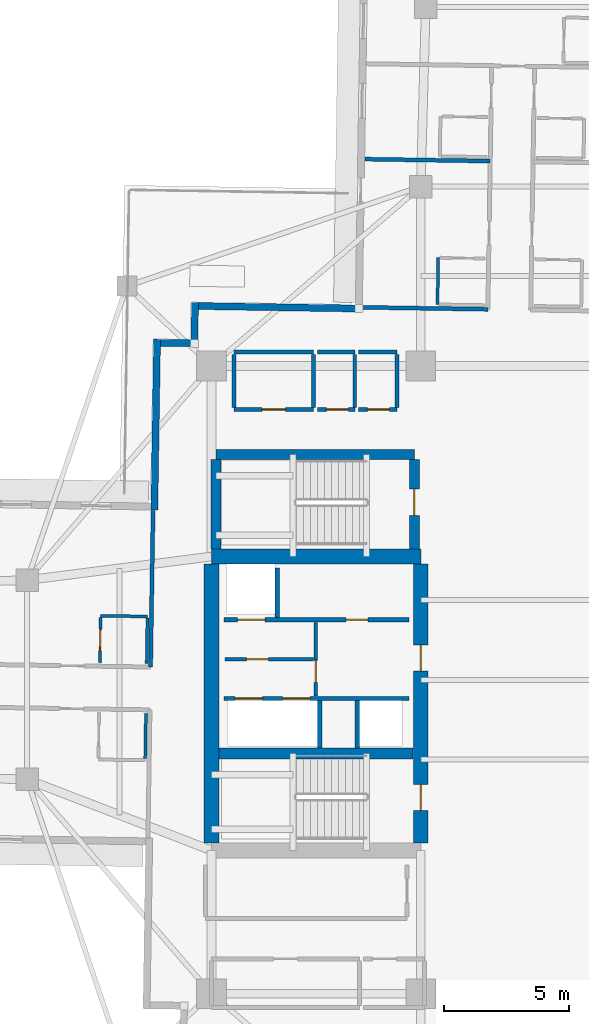
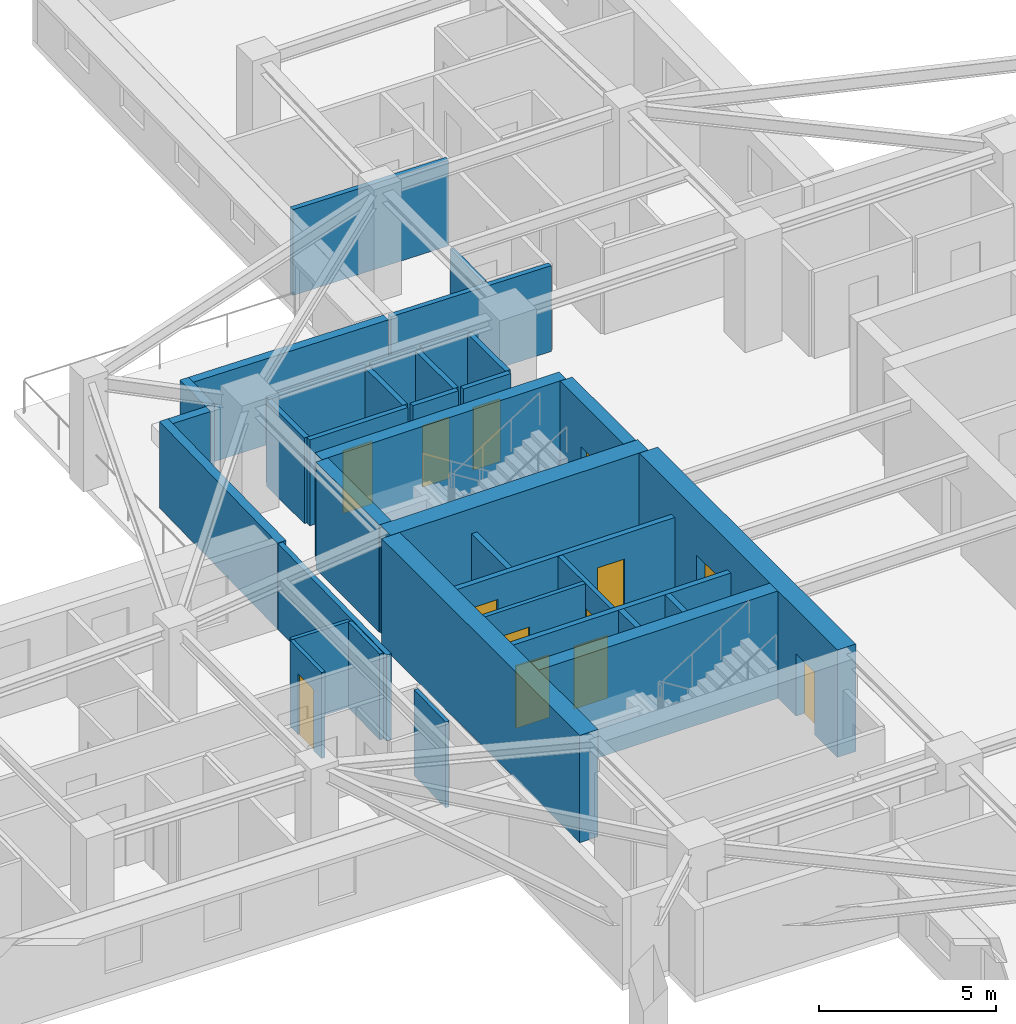
# One storey, part 5 of 13: 36 walls, 13 doors, 13 openings.
"""IFC4 building model written with IfcOpenShell, lengths in metres."""

from ifc_helpers import new_model, si_unit, direction, frame, frame_2d, origin, place, context, subcontext, project, spatial, rectangle, extrude, material, layer, layer_set, type_object, element, fill, save


model = new_model("IFC4")

# Units and contexts
model_context = context("Model", 3, precision=1e-05, world=origin(), true_north=direction((0.0, 1.0)))
body_context = subcontext(model_context, "Body", "Model", "MODEL_VIEW")
ifc_project = project(units=[si_unit("LENGTHUNIT", "METRE"), si_unit("AREAUNIT", "SQUARE_METRE"), si_unit("VOLUMEUNIT", "CUBIC_METRE"), si_unit("PLANEANGLEUNIT", "RADIAN"), si_unit("MASSUNIT", "GRAM", prefix="KILO")], contexts=[model_context])

# Site, building, storey
site_placement = place(None, origin())
site = spatial("IfcSite", under=ifc_project, at=site_placement, CompositionType="ELEMENT")
building_placement = place(site_placement, origin())
building = spatial("IfcBuilding", under=site, at=building_placement, Name="Qingluan Cross Belvedere", CompositionType="ELEMENT")
storey_placement = place(building_placement, frame((0.0, 0.0, 148.800048828125)))
storey = spatial("IfcBuildingStorey", under=building, at=storey_placement, Name="L37", CompositionType="ELEMENT", Elevation=148.800048828125)

# Walls
ifc_material_1 = material(Name="Concrete C50", Category="concrete")
ifc_layer_1 = layer(ifc_material_1, 0.449951171875, Name="CoreShearWall_450")
ifc_layer_set_1 = layer_set([ifc_layer_1], Name="Concrete C50")
wall_type_1 = type_object("IfcWallType", Name="CoreShearWall_450", PredefinedType="SHEAR", material=ifc_layer_set_1)
wall_1_placement = place(storey_placement, frame((-12.094970703125, -2.9599609375, 0.0), z_axis=(0.0, 0.0, 1.0), x_axis=(1.0, 0.0, 0.0)))
element("IfcWall", 1, at=wall_1_placement, inside=storey, type_object=wall_type_1, Name="Split core W shear wall L37-M", PredefinedType="SHEAR", context=body_context, shape_type="SweptSolid", body=[
    extrude(rectangle(XDim=7.7900390625, YDim=0.449951171875, at=frame_2d((3.89501953125, 0.0))), origin(), (0.0, 0.0, 1.0), 3.699951171875),
])
wall_2_placement = place(storey_placement, frame((-12.219970703125, 9.0400390625, 0.0), z_axis=(0.0, 0.0, 1.0), x_axis=(1.0, 0.0, 0.0)))
element("IfcWall", 2, at=wall_2_placement, inside=storey, type_object=wall_type_1, Name="Stair ST3 structural wall N L37", PredefinedType="SHEAR", context=body_context, shape_type="SweptSolid", body=[
    extrude(rectangle(XDim=7.9599609375, YDim=0.39990234375, at=frame_2d((3.97998046875, 0.0))), origin(), (0.0, 0.0, 1.0), 3.699951171875),
])
wall_3_placement = place(storey_placement, frame((-12.219970703125, 5.2548828125, 0.0), z_axis=(0.0, 0.0, 1.0), x_axis=(0.0, 1.0, 0.0)))
element("IfcWall", 3, at=wall_3_placement, inside=storey, type_object=wall_type_1, Name="Stair ST3 structural wall W L37", PredefinedType="SHEAR", context=body_context, shape_type="SweptSolid", body=[
    extrude(rectangle(XDim=3.580078125, YDim=0.39990234375, at=frame_2d((1.7900390625, 0.0))), origin(), (0.0, 0.0, 1.0), 3.699951171875),
])

# Wall, opening, door
wall_4_placement = place(storey_placement, frame((-4.260009765625, 5.2548828125, 0.0), z_axis=(0.0, 0.0, 1.0), x_axis=(0.0, 1.0, 0.0)))
wall_4 = element("IfcWall", 4, at=wall_4_placement, inside=storey, type_object=wall_type_1, Name="Stair ST3 structural wall E L37", PredefinedType="SHEAR", context=body_context, shape_type="SweptSolid", body=[
    extrude(rectangle(XDim=3.580078125, YDim=0.39990234375, at=frame_2d((1.7900390625, 0.0))), origin(), (0.0, 0.0, 1.0), 3.699951171875),
])
opening_1_placement = place(wall_4_placement, frame((1.344970703125, 0.0, 0.0)))
opening_1 = element("IfcOpeningElement", 5, at=opening_1_placement, cuts=wall_4, Name="Opening FD-B11", PredefinedType="OPENING", context=body_context, shape_type="SweptSolid", body=[
    extrude(rectangle(XDim=1.050048828125, YDim=2.14990234375, at=frame_2d((0.52490234375, 1.074951171875))), frame((0.0, 0.2099609375, 0.0), z_axis=(0.0, -1.0, 0.0), x_axis=(1.0, 0.0, 0.0)), (0.0, 0.0, 1.0), 0.419921875),
])
ifc_material_2 = material(Name="Steel Class B smoke-seal fire door", Category="steel")
door_type_1 = type_object("IfcDoorType", Name="StairLobbyFireDoor_FDB", OperationType="NOTDEFINED", PredefinedType="DOOR", material=ifc_material_2)
door_1_placement = place(opening_1_placement, origin())
door_1 = element("IfcDoor", 6, at=door_1_placement, inside=storey, type_object=door_type_1, Name="Smoke-proof stair ST3 fire door L37", OperationType="SINGLE_SWING_LEFT", OverallHeight=2.14990234375, OverallWidth=1.050048828125, PredefinedType="DOOR", context=body_context, shape_type="SweptSolid", body=[
    extrude(rectangle(XDim=1.050048828125, YDim=2.14990234375, at=frame_2d((0.52490234375, 1.074951171875))), frame((0.0, 0.02490234375, 0.0), z_axis=(0.0, -1.0, 0.0), x_axis=(1.0, 0.0, 0.0)), (0.0, 0.0, 1.0), 0.050048828125),
])
fill(opening_1, door_1)

# Walls
ifc_material_3 = material(Name="Concrete C60", Category="concrete")
ifc_layer_2 = layer(ifc_material_3, 0.60009765625, Name="CoreShearWall_600")
ifc_layer_set_2 = layer_set([ifc_layer_2], Name="Concrete C60")
wall_type_2 = type_object("IfcWallType", Name="CoreShearWall_600", PredefinedType="SHEAR", material=ifc_layer_set_2)
wall_5_placement = place(storey_placement, frame((-12.39990234375, 4.949951171875, 0.0), z_axis=(0.0, 0.0, 1.0), x_axis=(1.0, 0.0, 0.0)))
element("IfcWall", 7, at=wall_5_placement, inside=storey, type_object=wall_type_2, Name="Split core W shear wall L37-N", PredefinedType="SHEAR", context=body_context, shape_type="SweptSolid", body=[
    extrude(rectangle(XDim=8.39990234375, YDim=0.60009765625, at=frame_2d((4.199951171875, 0.0))), origin(), (0.0, 0.0, 1.0), 3.699951171875),
])
wall_6_placement = place(storey_placement, frame((-12.39990234375, -6.544921875, 0.0), z_axis=(0.0, 0.0, 1.0), x_axis=(0.0, 1.0, 0.0)))
element("IfcWall", 8, at=wall_6_placement, inside=storey, type_object=wall_type_2, Name="Split core W shear wall L37-W", PredefinedType="SHEAR", context=body_context, shape_type="SweptSolid", body=[
    extrude(rectangle(XDim=11.18994140625, YDim=0.60009765625, at=frame_2d((5.594970703125, 0.0))), origin(), (0.0, 0.0, 1.0), 3.699951171875),
])

# Wall, openings, doors
wall_7_placement = place(storey_placement, frame((-4.0, -6.544921875, 0.0), z_axis=(0.0, 0.0, 1.0), x_axis=(0.0, 1.0, 0.0)))
wall_7 = element("IfcWall", 9, at=wall_7_placement, inside=storey, type_object=wall_type_2, Name="Split core W shear wall L37-E", PredefinedType="SHEAR", context=body_context, shape_type="SweptSolid", body=[
    extrude(rectangle(XDim=11.18994140625, YDim=0.60009765625, at=frame_2d((5.594970703125, 0.0))), origin(), (0.0, 0.0, 1.0), 3.699951171875),
])
opening_2_placement = place(wall_7_placement, frame((1.294921875, 0.0, 0.0)))
opening_2 = element("IfcOpeningElement", 10, at=opening_2_placement, cuts=wall_7, Name="Opening FD-B11", PredefinedType="OPENING", context=body_context, shape_type="SweptSolid", body=[
    extrude(rectangle(XDim=1.050048828125, YDim=2.14990234375, at=frame_2d((0.52490234375, 1.074951171875))), frame((0.0, 0.31005859375, 0.0), z_axis=(0.0, -1.0, 0.0), x_axis=(1.0, 0.0, 0.0)), (0.0, 0.0, 1.0), 0.6201171875),
])
opening_3_placement = place(wall_7_placement, frame((6.89501953125, 0.0, 0.0)))
opening_3 = element("IfcOpeningElement", 11, at=opening_3_placement, cuts=wall_7, Name="Opening FD-B11", PredefinedType="OPENING", context=body_context, shape_type="SweptSolid", body=[
    extrude(rectangle(XDim=1.050048828125, YDim=2.14990234375, at=frame_2d((0.52490234375, 1.074951171875))), frame((0.0, 0.31005859375, 0.0), z_axis=(0.0, -1.0, 0.0), x_axis=(1.0, 0.0, 0.0)), (0.0, 0.0, 1.0), 0.6201171875),
])
door_2_placement = place(opening_2_placement, origin())
door_2 = element("IfcDoor", 12, at=door_2_placement, inside=storey, type_object=door_type_1, Name="Smoke-proof stair ST1 fire door L37", OperationType="SINGLE_SWING_LEFT", OverallHeight=2.14990234375, OverallWidth=1.050048828125, PredefinedType="DOOR", context=body_context, shape_type="SweptSolid", body=[
    extrude(rectangle(XDim=1.050048828125, YDim=2.14990234375, at=frame_2d((0.52490234375, 1.074951171875))), frame((0.0, 0.02490234375, 0.0), z_axis=(0.0, -1.0, 0.0), x_axis=(1.0, 0.0, 0.0)), (0.0, 0.0, 1.0), 0.050048828125),
])
fill(opening_2, door_2)
door_3_placement = place(opening_3_placement, origin())
door_3 = element("IfcDoor", 13, at=door_3_placement, inside=storey, type_object=door_type_1, Name="Firefighting lobby West fire door L37", OperationType="SINGLE_SWING_LEFT", OverallHeight=2.14990234375, OverallWidth=1.050048828125, PredefinedType="DOOR", context=body_context, shape_type="SweptSolid", body=[
    extrude(rectangle(XDim=1.050048828125, YDim=2.14990234375, at=frame_2d((0.52490234375, 1.074951171875))), frame((0.0, 0.02490234375, 0.0), z_axis=(0.0, -1.0, 0.0), x_axis=(1.0, 0.0, 0.0)), (0.0, 0.0, 1.0), 0.050048828125),
])
fill(opening_3, door_3)

# Wall, opening, door
ifc_material_4 = material(Name="Gypsum plasterboard on steel stud acoustic partition", Category="steel")
ifc_layer_3 = layer(ifc_material_4, 0.159912109375, Name="CorridorPartition_160")
ifc_layer_set_3 = layer_set([ifc_layer_3], Name="Gypsum plasterboard on steel stud acoustic partition")
wall_type_3 = type_object("IfcWallType", Name="CorridorPartition_160", PredefinedType="PARTITIONING", material=ifc_layer_set_3)
wall_8_placement = place(storey_placement, frame((-11.85009765625, 0.830078125, 0.0), z_axis=(0.0, 0.0, 1.0), x_axis=(1.0, 0.0, 0.0)))
wall_8 = element("IfcWall", 14, at=wall_8_placement, inside=storey, type_object=wall_type_3, Name="Partition L37:w", PredefinedType="PARTITIONING", context=body_context, shape_type="SweptSolid", body=[
    extrude(rectangle(XDim=3.552001953125, YDim=0.139892578125, at=frame_2d((1.77587890625, 0.0))), origin(), (0.0, 0.0, 1.0), 2.9599609375),
])
opening_4_placement = place(wall_8_placement, frame((0.85009765625, 0.0, 0.0)))
opening_4 = element("IfcOpeningElement", 15, at=opening_4_placement, cuts=wall_8, Name="Opening FD-B10", PredefinedType="OPENING", context=body_context, shape_type="SweptSolid", body=[
    extrude(rectangle(XDim=0.8798828125, YDim=2.10009765625, at=frame_2d((0.43994140625, 1.050048828125))), frame((0.0, 0.079833984375, 0.0), z_axis=(0.0, -1.0, 0.0), x_axis=(1.0, 0.0, 0.0)), (0.0, 0.0, 1.0), 0.159912109375),
])
ifc_material_5 = material(Name="Steel Class B service fire door", Category="steel")
door_type_2 = type_object("IfcDoorType", Name="RiserServiceFireDoor_FDB", OperationType="NOTDEFINED", PredefinedType="DOOR", material=ifc_material_5)
door_4_placement = place(opening_4_placement, origin())
door_4 = element("IfcDoor", 16, at=door_4_placement, inside=storey, type_object=door_type_2, Name="Service closet inner door L37", OperationType="SINGLE_SWING_RIGHT", OverallHeight=2.10009765625, OverallWidth=0.8798828125, PredefinedType="DOOR", context=body_context, shape_type="SweptSolid", body=[
    extrude(rectangle(XDim=0.8798828125, YDim=2.10009765625, at=frame_2d((0.43994140625, 1.050048828125))), frame((0.0, 0.02490234375, 0.0), z_axis=(0.0, -1.0, 0.0), x_axis=(1.0, 0.0, 0.0)), (0.0, 0.0, 1.0), 0.050048828125),
])
fill(opening_4, door_4)

wall_9_placement = place(storey_placement, frame((-11.5, 10.85009765625, 0.0), z_axis=(0.0, 0.0, 1.0), x_axis=(1.0, 0.0, 0.0)))
wall_9 = element("IfcWall", 17, at=wall_9_placement, inside=storey, type_object=wall_type_3, Name="Partition L37:q_nw_occ:S", PredefinedType="PARTITIONING", context=body_context, shape_type="SweptSolid", body=[
    extrude(rectangle(XDim=3.199951171875, YDim=0.159912109375, at=frame_2d((1.60009765625, 0.0))), origin(), (0.0, 0.0, 1.0), 2.9599609375),
])
opening_5_placement = place(wall_9_placement, frame((1.1201171875, 0.0, 0.0)))
opening_5 = element("IfcOpeningElement", 18, at=opening_5_placement, cuts=wall_9, Name="Opening GD-10", PredefinedType="OPENING", context=body_context, shape_type="SweptSolid", body=[
    extrude(rectangle(XDim=0.9599609375, YDim=2.14990234375, at=frame_2d((0.47998046875, 1.074951171875))), frame((0.0, 0.08984375, 0.0), z_axis=(0.0, -1.0, 0.0), x_axis=(1.0, 0.0, 0.0)), (0.0, 0.0, 1.0), 0.179931640625),
])
ifc_material_6 = material(Name="Timber oak fire-rated acoustic guestroom door", Category="wood")
door_type_3 = type_object("IfcDoorType", Name="GuestEntryDoor_FD60", OperationType="NOTDEFINED", PredefinedType="DOOR", material=ifc_material_6)
door_5_placement = place(opening_5_placement, origin())
door_5 = element("IfcDoor", 19, at=door_5_placement, inside=storey, type_object=door_type_3, Name="Northwest corner reading salon L37 door", OperationType="SINGLE_SWING_RIGHT", OverallHeight=2.14990234375, OverallWidth=0.9599609375, PredefinedType="DOOR", context=body_context, shape_type="SweptSolid", body=[
    extrude(rectangle(XDim=0.9599609375, YDim=2.14990234375, at=frame_2d((0.47998046875, 1.074951171875))), frame((0.0, 0.02490234375, 0.0), z_axis=(0.0, -1.0, 0.0), x_axis=(1.0, 0.0, 0.0)), (0.0, 0.0, 1.0), 0.050048828125),
])
fill(opening_5, door_5)

# Walls
wall_10_placement = place(storey_placement, frame((-11.5, 13.14990234375, 0.0), z_axis=(0.0, 0.0, 1.0), x_axis=(1.0, 0.0, 0.0)))
element("IfcWall", 20, at=wall_10_placement, inside=storey, type_object=wall_type_3, Name="Partition L37:q_nw_occ:N", PredefinedType="PARTITIONING", context=body_context, shape_type="SweptSolid", body=[
    extrude(rectangle(XDim=3.199951171875, YDim=0.159912109375, at=frame_2d((1.60009765625, 0.0))), origin(), (0.0, 0.0, 1.0), 2.9599609375),
])
for number, where, z_axis, x_axis, name in (
    (21, (-11.5, 10.93505859375, 0.0), (0.0, 0.0, 1.0), (0.0, 1.0, 0.0), "Partition L37:q_nw_occ:W"),
    (22, (-8.300048828125, 10.93505859375, 0.0), (0.0, 0.0, 1.0), (0.0, 1.0, 0.0), "Partition L37:q_nw_occ:E"),
):
    element("IfcWall", number, at=place(storey_placement, frame(where, z_axis=z_axis, x_axis=x_axis)), inside=storey, type_object=wall_type_3, Name=name, PredefinedType="PARTITIONING", context=body_context, shape_type="SweptSolid", body=[
        extrude(rectangle(XDim=2.1298828125, YDim=0.159912109375, at=frame_2d((1.06494140625, 0.0))), origin(), (0.0, 0.0, 1.0), 2.9599609375),
    ])

# Wall, opening, door
wall_11_placement = place(storey_placement, frame((-8.139892578125, 10.85009765625, 0.0), z_axis=(0.0, 0.0, 1.0), x_axis=(1.0, 0.0, 0.0)))
wall_11 = element("IfcWall", 23, at=wall_11_placement, inside=storey, type_object=wall_type_3, Name="Partition L37:hk_linen:S", PredefinedType="PARTITIONING", context=body_context, shape_type="SweptSolid", body=[
    extrude(rectangle(XDim=1.489990234375, YDim=0.159912109375, at=frame_2d((0.7451171875, 0.0))), origin(), (0.0, 0.0, 1.0), 2.9599609375),
])
opening_6_placement = place(wall_11_placement, frame((0.35009765625, 0.0, 0.0)))
opening_6 = element("IfcOpeningElement", 24, at=opening_6_placement, cuts=wall_11, Name="Opening FD-B10", PredefinedType="OPENING", context=body_context, shape_type="SweptSolid", body=[
    extrude(rectangle(XDim=0.8798828125, YDim=2.10009765625, at=frame_2d((0.43994140625, 1.050048828125))), frame((0.0, 0.08984375, 0.0), z_axis=(0.0, -1.0, 0.0), x_axis=(1.0, 0.0, 0.0)), (0.0, 0.0, 1.0), 0.179931640625),
])
door_6_placement = place(opening_6_placement, origin())
door_6 = element("IfcDoor", 25, at=door_6_placement, inside=storey, type_object=door_type_2, Name="Housekeeping and linen store L37 door", OperationType="SINGLE_SWING_LEFT", OverallHeight=2.10009765625, OverallWidth=0.8798828125, PredefinedType="DOOR", context=body_context, shape_type="SweptSolid", body=[
    extrude(rectangle(XDim=0.8798828125, YDim=2.10009765625, at=frame_2d((0.43994140625, 1.050048828125))), frame((0.0, 0.02490234375, 0.0), z_axis=(0.0, -1.0, 0.0), x_axis=(1.0, 0.0, 0.0)), (0.0, 0.0, 1.0), 0.050048828125),
])
fill(opening_6, door_6)

# Walls
wall_12_placement = place(storey_placement, frame((-8.139892578125, 13.14990234375, 0.0), z_axis=(0.0, 0.0, 1.0), x_axis=(1.0, 0.0, 0.0)))
element("IfcWall", 26, at=wall_12_placement, inside=storey, type_object=wall_type_3, Name="Partition L37:hk_linen:N", PredefinedType="PARTITIONING", context=body_context, shape_type="SweptSolid", body=[
    extrude(rectangle(XDim=1.489990234375, YDim=0.159912109375, at=frame_2d((0.7451171875, 0.0))), origin(), (0.0, 0.0, 1.0), 2.9599609375),
])
wall_13_placement = place(storey_placement, frame((-6.64990234375, 10.93505859375, 0.0), z_axis=(0.0, 0.0, 1.0), x_axis=(0.0, 1.0, 0.0)))
element("IfcWall", 27, at=wall_13_placement, inside=storey, type_object=wall_type_3, Name="Partition L37:hk_linen:E", PredefinedType="PARTITIONING", context=body_context, shape_type="SweptSolid", body=[
    extrude(rectangle(XDim=2.1298828125, YDim=0.159912109375, at=frame_2d((1.06494140625, 0.0))), origin(), (0.0, 0.0, 1.0), 2.9599609375),
])

# Wall, opening, door
wall_14_placement = place(storey_placement, frame((-6.489990234375, 10.85009765625, 0.0), z_axis=(0.0, 0.0, 1.0), x_axis=(1.0, 0.0, 0.0)))
wall_14 = element("IfcWall", 28, at=wall_14_placement, inside=storey, type_object=wall_type_3, Name="Partition L37:floor_acc_wc:S", PredefinedType="PARTITIONING", context=body_context, shape_type="SweptSolid", body=[
    extrude(rectangle(XDim=1.5400390625, YDim=0.159912109375, at=frame_2d((0.77001953125, 0.0))), origin(), (0.0, 0.0, 1.0), 2.9599609375),
])
opening_7_placement = place(wall_14_placement, frame((0.35009765625, 0.0, 0.0)))
opening_7 = element("IfcOpeningElement", 29, at=opening_7_placement, cuts=wall_14, Name="Opening BD-08", PredefinedType="OPENING", context=body_context, shape_type="SweptSolid", body=[
    extrude(rectangle(XDim=0.8798828125, YDim=2.14990234375, at=frame_2d((0.43994140625, 1.074951171875))), frame((0.0, 0.08984375, 0.0), z_axis=(0.0, -1.0, 0.0), x_axis=(1.0, 0.0, 0.0)), (0.0, 0.0, 1.0), 0.179931640625),
])
ifc_material_7 = material(Name="Moisture-sealed timber accessible WC door", Category="wood")
door_type_4 = type_object("IfcDoorType", Name="AccessibleWCDoor_880", OperationType="NOTDEFINED", PredefinedType="DOOR", material=ifc_material_7)
door_7_placement = place(opening_7_placement, origin())
door_7 = element("IfcDoor", 30, at=door_7_placement, inside=storey, type_object=door_type_4, Name="Accessible guest washroom L37 door", OperationType="SINGLE_SWING_RIGHT", OverallHeight=2.14990234375, OverallWidth=0.8798828125, PredefinedType="DOOR", context=body_context, shape_type="SweptSolid", body=[
    extrude(rectangle(XDim=0.8798828125, YDim=2.14990234375, at=frame_2d((0.43994140625, 1.074951171875))), frame((0.0, 0.02490234375, 0.0), z_axis=(0.0, -1.0, 0.0), x_axis=(1.0, 0.0, 0.0)), (0.0, 0.0, 1.0), 0.050048828125),
])
fill(opening_7, door_7)

# Walls
wall_15_placement = place(storey_placement, frame((-6.489990234375, 13.14990234375, 0.0), z_axis=(0.0, 0.0, 1.0), x_axis=(1.0, 0.0, 0.0)))
element("IfcWall", 31, at=wall_15_placement, inside=storey, type_object=wall_type_3, Name="Partition L37:floor_acc_wc:N", PredefinedType="PARTITIONING", context=body_context, shape_type="SweptSolid", body=[
    extrude(rectangle(XDim=1.5400390625, YDim=0.159912109375, at=frame_2d((0.77001953125, 0.0))), origin(), (0.0, 0.0, 1.0), 2.9599609375),
])
wall_16_placement = place(storey_placement, frame((-4.949951171875, 10.93505859375, 0.0), z_axis=(0.0, 0.0, 1.0), x_axis=(0.0, 1.0, 0.0)))
element("IfcWall", 32, at=wall_16_placement, inside=storey, type_object=wall_type_3, Name="Partition L37:floor_acc_wc:E", PredefinedType="PARTITIONING", context=body_context, shape_type="SweptSolid", body=[
    extrude(rectangle(XDim=2.1298828125, YDim=0.159912109375, at=frame_2d((1.06494140625, 0.0))), origin(), (0.0, 0.0, 1.0), 2.9599609375),
])
wall_17_placement = place(storey_placement, frame((-14.84375, 0.51318359375, 0.0), z_axis=(0.0, 0.0, 1.0), x_axis=(0.01571461794, 0.999876517768, 0.0)))
element("IfcWall", 33, at=wall_17_placement, inside=storey, type_object=wall_type_3, Name="Partition L37:W:s0", PredefinedType="PARTITIONING", context=body_context, shape_type="SweptSolid", body=[
    extrude(rectangle(XDim=6.2919921875, YDim=0.159912109375, at=frame_2d((3.14599609375, 0.0))), origin(), (0.0, 0.0, 1.0), 2.9599609375),
])
wall_18_placement = place(storey_placement, frame((-1.306640625, 14.872314453125, 0.0), z_axis=(0.0, 0.0, 1.0), x_axis=(-0.999876822016, 0.01569524756, 0.0)))
element("IfcWall", 34, at=wall_18_placement, inside=storey, type_object=wall_type_3, Name="Partition L37:N:s1", PredefinedType="PARTITIONING", context=body_context, shape_type="SweptSolid", body=[
    extrude(rectangle(XDim=5.179931640625, YDim=0.159912109375, at=frame_2d((2.58984375, 0.0))), origin(), (0.0, 0.0, 1.0), 2.9599609375),
])
wall_19_placement = place(storey_placement, frame((-1.213134765625, 20.821533203125, 0.0), z_axis=(0.0, 0.0, 1.0), x_axis=(-0.999876431484, 0.015720106939, 0.0)))
element("IfcWall", 35, at=wall_19_placement, inside=storey, type_object=wall_type_3, Name="Partition L37:N:d1_0", PredefinedType="PARTITIONING", context=body_context, shape_type="SweptSolid", body=[
    extrude(rectangle(XDim=5.031982421875, YDim=0.159912109375, at=frame_2d((2.51611328125, 0.0))), origin(), (0.0, 0.0, 1.0), 2.9599609375),
])

# Wall, opening, door
ifc_material_8 = material(Name="Moisture-resistant gypsum board lining")
ifc_layer_4 = layer(ifc_material_8, 0.1201171875, Name="EnsuiteWetPartition_120")
ifc_layer_set_4 = layer_set([ifc_layer_4], Name="Moisture-resistant gypsum board lining")
wall_type_4 = type_object("IfcWallType", Name="EnsuiteWetPartition_120", PredefinedType="PARTITIONING", material=ifc_layer_set_4)
wall_20_placement = place(storey_placement, frame((-16.88134765625, 0.685302734375, 0.0), z_axis=(0.0, 0.0, 1.0), x_axis=(0.015696442504, 0.999876803258, 0.0)))
wall_20 = element("IfcWall", 36, at=wall_20_placement, inside=storey, type_object=wall_type_4, Name="Partition L37:W:bs0_0", PredefinedType="PARTITIONING", context=body_context, shape_type="SweptSolid", body=[
    extrude(rectangle(XDim=1.81982421875, YDim=0.1201171875, at=frame_2d((0.909912109375, 0.0))), origin(), (0.0, 0.0, 1.0), 2.9599609375),
])
opening_8_placement = place(wall_20_placement, frame((0.469970703125, 0.0, 0.0)))
opening_8 = element("IfcOpeningElement", 37, at=opening_8_placement, cuts=wall_20, Name="Opening BD-09", PredefinedType="OPENING", context=body_context, shape_type="SweptSolid", body=[
    extrude(rectangle(XDim=0.8798828125, YDim=2.10009765625, at=frame_2d((0.43994140625, 1.050048828125))), frame((0.0, 0.070068359375, 0.0), z_axis=(0.0, -1.0, 0.0), x_axis=(1.0, 0.0, 0.0)), (0.0, 0.0, 1.0), 0.14013671875),
])
ifc_material_9 = material(Name="Moisture-sealed timber en-suite door", Category="wood")
door_type_5 = type_object("IfcDoorType", Name="BathroomDoor_880", OperationType="NOTDEFINED", PredefinedType="DOOR", material=ifc_material_9)
door_8_placement = place(opening_8_placement, origin())
door_8 = element("IfcDoor", 38, at=door_8_placement, inside=storey, type_object=door_type_5, Name="Bathroom door 3703", OperationType="SINGLE_SWING_LEFT", OverallHeight=2.10009765625, OverallWidth=0.8798828125, PredefinedType="DOOR", context=body_context, shape_type="SweptSolid", body=[
    extrude(rectangle(XDim=0.8798828125, YDim=2.10009765625, at=frame_2d((0.43994140625, 1.050048828125))), frame((0.0, 0.02490234375, 0.0), z_axis=(0.0, -1.0, 0.0), x_axis=(1.0, 0.0, 0.0)), (0.0, 0.0, 1.0), 0.050048828125),
])
fill(opening_8, door_8)

# Walls
wall_21_placement = place(storey_placement, frame((-15.001708984375, 0.65576171875, 0.0), z_axis=(0.0, 0.0, 1.0), x_axis=(0.015828443418, 0.999874722342, 0.0)))
element("IfcWall", 39, at=wall_21_placement, inside=storey, type_object=wall_type_4, Name="Partition L37:W:bw0_0", PredefinedType="PARTITIONING", context=body_context, shape_type="SweptSolid", body=[
    extrude(rectangle(XDim=1.820068359375, YDim=0.1201171875, at=frame_2d((0.91015625, 0.0))), origin(), (0.0, 0.0, 1.0), 2.9599609375),
])
wall_22_placement = place(storey_placement, frame((-14.971923828125, 2.54052734375, 0.0), z_axis=(0.0, 0.0, 1.0), x_axis=(-0.999876553475, 0.01571234584, 0.0)))
element("IfcWall", 40, at=wall_22_placement, inside=storey, type_object=wall_type_4, Name="Partition L37:W:bn0_0", PredefinedType="PARTITIONING", context=body_context, shape_type="SweptSolid", body=[
    extrude(rectangle(XDim=1.880126953125, YDim=0.1201171875, at=frame_2d((0.93994140625, 0.0))), origin(), (0.0, 0.0, 1.0), 2.9599609375),
])
wall_23_placement = place(storey_placement, frame((-15.0615234375, -3.163818359375, 0.0), z_axis=(0.0, 0.0, 1.0), x_axis=(0.015694337248, 0.999876836305, 0.0)))
element("IfcWall", 41, at=wall_23_placement, inside=storey, type_object=wall_type_4, Name="Partition L37:W:bw1_0", PredefinedType="PARTITIONING", context=body_context, shape_type="SweptSolid", body=[
    extrude(rectangle(XDim=1.820068359375, YDim=0.1201171875, at=frame_2d((0.91015625, 0.0))), origin(), (0.0, 0.0, 1.0), 2.9599609375),
])
wall_24_placement = place(storey_placement, frame((-3.328857421875, 15.064208984375, 0.0), z_axis=(0.0, 0.0, 1.0), x_axis=(0.015714386166, 0.99987652141, 0.0)))
element("IfcWall", 42, at=wall_24_placement, inside=storey, type_object=wall_type_4, Name="Partition L37:N:bc1_0", PredefinedType="PARTITIONING", context=body_context, shape_type="SweptSolid", body=[
    extrude(rectangle(XDim=1.8798828125, YDim=0.1201171875, at=frame_2d((0.93994140625, 0.0))), origin(), (0.0, 0.0, 1.0), 2.9599609375),
])
ifc_material_10 = material(Name="Precast concrete C45", Category="concrete")
ifc_layer_5 = layer(ifc_material_10, 0.280029296875, Name="PrecastFacadeWall_280")
ifc_layer_set_5 = layer_set([ifc_layer_5], Name="Precast concrete C45")
wall_type_5 = type_object("IfcWallType", Name="PrecastFacadeWall_280", PredefinedType="STANDARD", material=ifc_layer_set_5)
wall_25_placement = place(storey_placement, frame((-14.69482421875, 6.811767578125, 0.0), z_axis=(0.0, 0.0, 1.0), x_axis=(0.015694809807, 0.999876828887, 0.0)))
element("IfcWall", 43, at=wall_25_placement, inside=storey, type_object=wall_type_5, Name="Corner wall L37-NW1", PredefinedType="STANDARD", context=body_context, shape_type="SweptSolid", body=[
    extrude(rectangle(XDim=6.85986328125, YDim=0.280029296875, at=frame_2d((3.429931640625, 0.0))), origin(), (0.0, 0.0, 1.0), 2.969970703125),
])
wall_26_placement = place(storey_placement, frame((-14.44921875, 13.528564453125, 0.0), z_axis=(0.0, 0.0, 1.0), x_axis=(0.999878147354, -0.015610587569, 0.0)))
element("IfcWall", 44, at=wall_26_placement, inside=storey, type_object=wall_type_5, Name="Corner wall L37-NW2", PredefinedType="STANDARD", context=body_context, shape_type="SweptSolid", body=[
    extrude(rectangle(XDim=1.219970703125, YDim=0.280029296875, at=frame_2d((0.60986328125, 0.0))), origin(), (0.0, 0.0, 1.0), 2.969970703125),
])
wall_27_placement = place(storey_placement, frame((-13.08740234375, 13.647216796875, 0.0), z_axis=(0.0, 0.0, 1.0), x_axis=(0.015785793208, 0.999875396603, 0.0)))
element("IfcWall", 45, at=wall_27_placement, inside=storey, type_object=wall_type_5, Name="Corner wall L37-NW3", PredefinedType="STANDARD", context=body_context, shape_type="SweptSolid", body=[
    extrude(rectangle(XDim=1.500244140625, YDim=0.280029296875, at=frame_2d((0.75, 0.0))), origin(), (0.0, 0.0, 1.0), 2.969970703125),
])
wall_28_placement = place(storey_placement, frame((-12.92578125, 15.0048828125, 0.0), z_axis=(0.0, 0.0, 1.0), x_axis=(0.999876823822, -0.015695132501, 0.0)))
element("IfcWall", 46, at=wall_28_placement, inside=storey, type_object=wall_type_5, Name="Corner wall L37-NW4", PredefinedType="STANDARD", context=body_context, shape_type="SweptSolid", body=[
    extrude(rectangle(XDim=6.2998046875, YDim=0.280029296875, at=frame_2d((3.14990234375, 0.0))), origin(), (0.0, 0.0, 1.0), 2.969970703125),
])

# Wall, openings, doors
ifc_material_11 = material(Name="Concrete C40", Category="concrete")
ifc_layer_6 = layer(ifc_material_11, 0.219970703125, Name="ShaftEnclosureWall_250")
ifc_layer_set_6 = layer_set([ifc_layer_6], Name="Concrete C40")
wall_type_6 = type_object("IfcWallType", Name="ShaftEnclosureWall_250", PredefinedType="SOLIDWALL", material=ifc_layer_set_6)
wall_29_placement = place(storey_placement, frame((-11.89990234375, 2.409912109375, 0.0), z_axis=(0.0, 0.0, 1.0), x_axis=(1.0, 0.0, 0.0)))
wall_29 = element("IfcWall", 47, at=wall_29_placement, inside=storey, type_object=wall_type_6, Name="Core-W north hoistway wall L37", PredefinedType="SOLIDWALL", context=body_context, shape_type="SweptSolid", body=[
    extrude(rectangle(XDim=7.419921875, YDim=0.179931640625, at=frame_2d((3.7099609375, 0.0))), origin(), (0.0, 0.0, 1.0), 2.9599609375),
])
opening_9_placement = place(wall_29_placement, frame((0.550048828125, 0.0, 0.0)))
opening_9 = element("IfcOpeningElement", 48, at=opening_9_placement, cuts=wall_29, Name="Opening LD-11", PredefinedType="OPENING", context=body_context, shape_type="SweptSolid", body=[
    extrude(rectangle(XDim=1.10009765625, YDim=2.14990234375, at=frame_2d((0.550048828125, 1.074951171875))), frame((0.0, 0.099853515625, 0.0), z_axis=(0.0, -1.0, 0.0), x_axis=(1.0, 0.0, 0.0)), (0.0, 0.0, 1.0), 0.199951171875),
])
opening_10_placement = place(wall_29_placement, frame((4.89990234375, 0.0, 0.0)))
opening_10 = element("IfcOpeningElement", 49, at=opening_10_placement, cuts=wall_29, Name="Opening FD-B10", PredefinedType="OPENING", context=body_context, shape_type="SweptSolid", body=[
    extrude(rectangle(XDim=0.8798828125, YDim=2.10009765625, at=frame_2d((0.43994140625, 1.050048828125))), frame((0.0, 0.099853515625, 0.0), z_axis=(0.0, -1.0, 0.0), x_axis=(1.0, 0.0, 0.0)), (0.0, 0.0, 1.0), 0.199951171875),
])
ifc_material_12 = material(Name="Brushed stainless steel centre-opening lift landing door", Category="steel")
door_type_6 = type_object("IfcDoorType", Name="LiftLandingSlidingDoor_1100", OperationType="DOUBLE_DOOR_SLIDING", PredefinedType="DOOR", material=ifc_material_12)
door_9_placement = place(opening_9_placement, origin())
door_9 = element("IfcDoor", 50, at=door_9_placement, inside=storey, type_object=door_type_6, Name="Lift landing sliding door FL1 L37", OperationType="DOUBLE_DOOR_SLIDING", OverallHeight=2.14990234375, OverallWidth=1.10009765625, PredefinedType="DOOR", context=body_context, shape_type="SweptSolid", body=[
    extrude(rectangle(XDim=1.10009765625, YDim=2.14990234375, at=frame_2d((0.550048828125, 1.074951171875))), frame((0.0, 0.02490234375, 0.0), z_axis=(0.0, -1.0, 0.0), x_axis=(1.0, 0.0, 0.0)), (0.0, 0.0, 1.0), 0.050048828125),
])
fill(opening_9, door_9)
door_10_placement = place(opening_10_placement, origin())
door_10 = element("IfcDoor", 51, at=door_10_placement, inside=storey, type_object=door_type_2, Name="Housekeeping supply room door W L37", OperationType="SINGLE_SWING_RIGHT", OverallHeight=2.10009765625, OverallWidth=0.8798828125, PredefinedType="DOOR", context=body_context, shape_type="SweptSolid", body=[
    extrude(rectangle(XDim=0.8798828125, YDim=2.10009765625, at=frame_2d((0.43994140625, 1.050048828125))), frame((0.0, 0.02490234375, 0.0), z_axis=(0.0, -1.0, 0.0), x_axis=(1.0, 0.0, 0.0)), (0.0, 0.0, 1.0), 0.050048828125),
])
fill(opening_10, door_10)

wall_30_placement = place(storey_placement, frame((-11.89990234375, -0.75, 0.0), z_axis=(0.0, 0.0, 1.0), x_axis=(1.0, 0.0, 0.0)))
wall_30 = element("IfcWall", 52, at=wall_30_placement, inside=storey, type_object=wall_type_6, Name="Core-W mid hoistway wall L37", PredefinedType="SOLIDWALL", context=body_context, shape_type="SweptSolid", body=[
    extrude(rectangle(XDim=7.419921875, YDim=0.179931640625, at=frame_2d((3.7099609375, 0.0))), origin(), (0.0, 0.0, 1.0), 2.9599609375),
])
opening_11_placement = place(wall_30_placement, frame((0.449951171875, 0.0, 0.0)))
opening_11 = element("IfcOpeningElement", 53, at=opening_11_placement, cuts=wall_30, Name="Opening LD-11", PredefinedType="OPENING", context=body_context, shape_type="SweptSolid", body=[
    extrude(rectangle(XDim=1.10009765625, YDim=2.14990234375, at=frame_2d((0.550048828125, 1.074951171875))), frame((0.0, 0.099853515625, 0.0), z_axis=(0.0, -1.0, 0.0), x_axis=(1.0, 0.0, 0.0)), (0.0, 0.0, 1.0), 0.199951171875),
])
opening_12_placement = place(wall_30_placement, frame((2.35009765625, 0.0, 0.0)))
opening_12 = element("IfcOpeningElement", 54, at=opening_12_placement, cuts=wall_30, Name="Opening LD-11", PredefinedType="OPENING", context=body_context, shape_type="SweptSolid", body=[
    extrude(rectangle(XDim=1.10009765625, YDim=2.14990234375, at=frame_2d((0.550048828125, 1.074951171875))), frame((0.0, 0.099853515625, 0.0), z_axis=(0.0, -1.0, 0.0), x_axis=(1.0, 0.0, 0.0)), (0.0, 0.0, 1.0), 0.199951171875),
])
door_11_placement = place(opening_11_placement, origin())
door_11 = element("IfcDoor", 55, at=door_11_placement, inside=storey, type_object=door_type_6, Name="Lift landing sliding door LP5 L37", OperationType="DOUBLE_DOOR_SLIDING", OverallHeight=2.14990234375, OverallWidth=1.10009765625, PredefinedType="DOOR", context=body_context, shape_type="SweptSolid", body=[
    extrude(rectangle(XDim=1.10009765625, YDim=2.14990234375, at=frame_2d((0.550048828125, 1.074951171875))), frame((0.0, 0.02490234375, 0.0), z_axis=(0.0, -1.0, 0.0), x_axis=(1.0, 0.0, 0.0)), (0.0, 0.0, 1.0), 0.050048828125),
])
fill(opening_11, door_11)
door_12_placement = place(opening_12_placement, origin())
door_12 = element("IfcDoor", 56, at=door_12_placement, inside=storey, type_object=door_type_6, Name="Lift landing sliding door LP6 L37", OperationType="DOUBLE_DOOR_SLIDING", OverallHeight=2.14990234375, OverallWidth=1.10009765625, PredefinedType="DOOR", context=body_context, shape_type="SweptSolid", body=[
    extrude(rectangle(XDim=1.10009765625, YDim=2.14990234375, at=frame_2d((0.550048828125, 1.074951171875))), frame((0.0, 0.02490234375, 0.0), z_axis=(0.0, -1.0, 0.0), x_axis=(1.0, 0.0, 0.0)), (0.0, 0.0, 1.0), 0.050048828125),
])
fill(opening_12, door_12)

# Walls
wall_31_placement = place(storey_placement, frame((-9.760009765625, 2.5, 0.0), z_axis=(0.0, 0.0, 1.0), x_axis=(0.0, 1.0, 0.0)))
element("IfcWall", 57, at=wall_31_placement, inside=storey, type_object=wall_type_6, Name="Hoistway enclosure divider FL1E L37", PredefinedType="SOLIDWALL", context=body_context, shape_type="SweptSolid", body=[
    extrude(rectangle(XDim=1.989990234375, YDim=0.179931640625, at=frame_2d((0.9951171875, 0.0))), origin(), (0.0, 0.0, 1.0), 2.9599609375),
])
for number, where, z_axis, x_axis, name in (
    (58, (-8.06005859375, -2.72998046875, 0.0), (0.0, 0.0, 1.0), (0.0, 1.0, 0.0), "Hoistway enclosure divider LP6E L37"),
    (59, (-6.5400390625, -2.72998046875, 0.0), (0.0, 0.0, 1.0), (0.0, 1.0, 0.0), "Hoistway enclosure divider LP8W L37"),
):
    element("IfcWall", number, at=place(storey_placement, frame(where, z_axis=z_axis, x_axis=x_axis)), inside=storey, type_object=wall_type_6, Name=name, PredefinedType="SOLIDWALL", context=body_context, shape_type="SweptSolid", body=[
        extrude(rectangle(XDim=1.889892578125, YDim=0.179931640625, at=frame_2d((0.94482421875, 0.0))), origin(), (0.0, 0.0, 1.0), 2.9599609375),
    ])

# Wall, opening, door
wall_32_placement = place(storey_placement, frame((-8.219970703125, -0.64990234375, 0.0), z_axis=(0.0, 0.0, 1.0), x_axis=(0.0, 1.0, 0.0)))
wall_32 = element("IfcWall", 60, at=wall_32_placement, inside=storey, type_object=wall_type_6, Name="Core-W service corridor wall L37", PredefinedType="SOLIDWALL", context=body_context, shape_type="SweptSolid", body=[
    extrude(rectangle(XDim=2.9599609375, YDim=0.139892578125, at=frame_2d((1.47998046875, 0.0))), origin(), (0.0, 0.0, 1.0), 2.9599609375),
])
opening_13_placement = place(wall_32_placement, frame((0.550048828125, 0.0, 0.0)))
opening_13 = element("IfcOpeningElement", 61, at=opening_13_placement, cuts=wall_32, Name="Opening FD-B10", PredefinedType="OPENING", context=body_context, shape_type="SweptSolid", body=[
    extrude(rectangle(XDim=0.8798828125, YDim=2.10009765625, at=frame_2d((0.43994140625, 1.050048828125))), frame((0.0, 0.079833984375, 0.0), z_axis=(0.0, -1.0, 0.0), x_axis=(1.0, 0.0, 0.0)), (0.0, 0.0, 1.0), 0.159912109375),
])
door_13_placement = place(opening_13_placement, origin())
door_13 = element("IfcDoor", 62, at=door_13_placement, inside=storey, type_object=door_type_2, Name="Core-W service room door L37", OperationType="SINGLE_SWING_RIGHT", OverallHeight=2.10009765625, OverallWidth=0.8798828125, PredefinedType="DOOR", context=body_context, shape_type="SweptSolid", body=[
    extrude(rectangle(XDim=0.8798828125, YDim=2.10009765625, at=frame_2d((0.43994140625, 1.050048828125))), frame((0.0, 0.02490234375, 0.0), z_axis=(0.0, -1.0, 0.0), x_axis=(1.0, 0.0, 0.0)), (0.0, 0.0, 1.0), 0.050048828125),
])
fill(opening_13, door_13)

save(model, "model.ifc")
